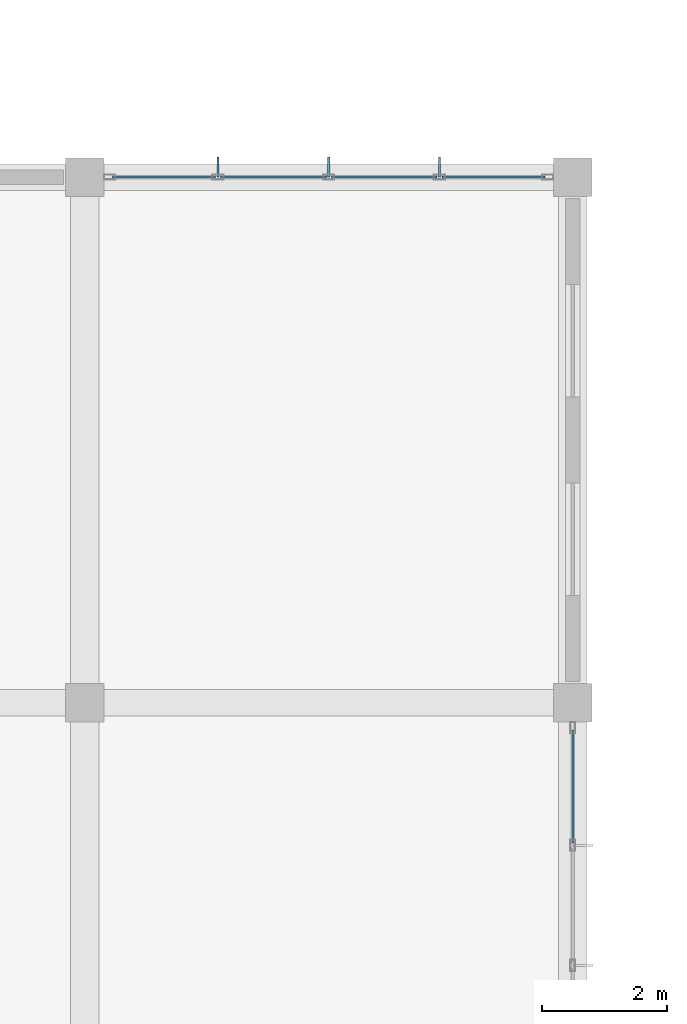
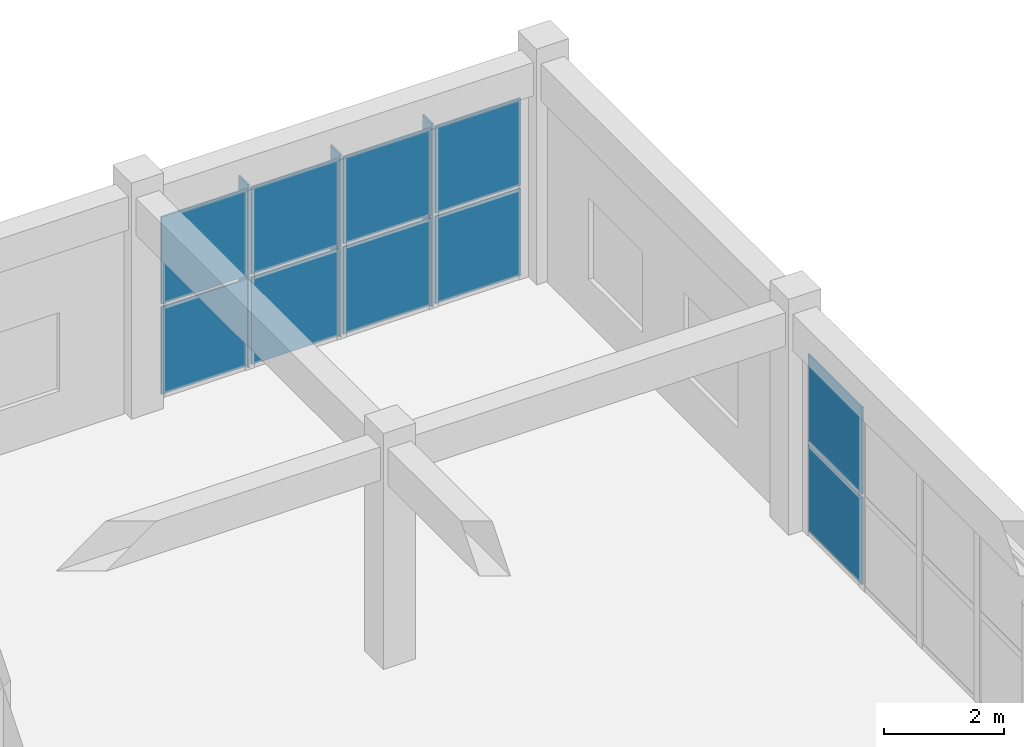
# One storey, part 146 of 167: 13 plates, 2 elements without a shape of their own.
"""IFC4 building model written with IfcOpenShell, lengths in metres."""

from ifc_helpers import new_model, si_unit, direction, frame, origin, origin_2d, place, context, subcontext, project, spatial, polyline, rectangle, outline, extrude, material, layer, layer_set, type_object, element, aggregate, save


model = new_model("IFC4")

# Units and contexts
model_context = context("Model", 3, precision=1e-05, world=origin(), true_north=direction((0.0, 1.0)))
body_context = subcontext(model_context, "Body", "Model", "MODEL_VIEW")
ifc_project = project(units=[si_unit("LENGTHUNIT", "METRE"), si_unit("AREAUNIT", "SQUARE_METRE"), si_unit("VOLUMEUNIT", "CUBIC_METRE"), si_unit("PLANEANGLEUNIT", "RADIAN"), si_unit("MASSUNIT", "GRAM", prefix="KILO")], contexts=[model_context])

# Site, building, storey
site_placement = place(None, origin())
site = spatial("IfcSite", under=ifc_project, at=site_placement, CompositionType="ELEMENT")
building_placement = place(site_placement, origin())
building = spatial("IfcBuilding", under=site, at=building_placement, Name="Zizhar Promenade General Hospital", CompositionType="ELEMENT")
storey_placement = place(building_placement, frame((0.0, 0.0, 9.60009765625)))
storey = spatial("IfcBuildingStorey", under=building, at=storey_placement, Name="L02", CompositionType="ELEMENT", Elevation=9.60009765625)

# Curtain wall, plates
ifc_material_1 = material(Name="Anodised aluminium 6063-T6 and low-E glass", Category="aluminium")
ifc_layer_1 = layer(ifc_material_1, 0.159912109375)
ifc_layer_set_1 = layer_set([ifc_layer_1], Name="Anodised aluminium 6063-T6 and low-E glass")
curtain_wall_type = type_object("IfcCurtainWallType", Name="CW-CLN-EXT", PredefinedType="NOTDEFINED", material=ifc_layer_set_1)
curtain_wall_1_placement = place(storey_placement, origin())
curtain_wall_1 = element("IfcCurtainWall", 1, at=curtain_wall_1_placement, inside=storey, type_object=curtain_wall_type, Name="Outpatient North Curtain Wall L02-24", PredefinedType="NOTDEFINED")
ifc_material_2 = material(Name="Low-E solar-control glass", Category="glass")
ifc_layer_2 = layer(ifc_material_2, 0.031982421875)
ifc_layer_set_2 = layer_set([ifc_layer_2], Name="Low-E solar-control glass")
plate_type_1 = type_object("IfcPlateType", Name="CWP-GLZ-32", PredefinedType="CURTAIN_PANEL", material=ifc_layer_set_2)
plate_1_placement = place(storey_placement, frame((188.465087890625, 109.199951171875, 0.06005859375), z_axis=(0.0, 0.0, 1.0), x_axis=(1.0, 0.0, 0.0)))
plate_1 = element("IfcPlate", 2, at=plate_1_placement, type_object=plate_type_1, Name="CW-09 panel 1.1", PredefinedType="CURTAIN_PANEL", context=body_context, shape_type="SweptSolid", body=[
    extrude(rectangle(XDim=1.64990234375, YDim=0.031982421875, at=origin_2d()), origin(), (0.0, 0.0, 1.0), 1.77490234375),
])
plate_2_placement = place(storey_placement, frame((188.465087890625, 109.199951171875, 1.89501953125), z_axis=(0.0, 0.0, 1.0), x_axis=(1.0, 0.0, 0.0)))
plate_2 = element("IfcPlate", 3, at=plate_2_placement, type_object=plate_type_1, Name="CW-09 panel 1.2", PredefinedType="CURTAIN_PANEL", context=body_context, shape_type="SweptSolid", body=[
    extrude(rectangle(XDim=1.64990234375, YDim=0.031982421875, at=origin_2d()), origin(), (0.0, 0.0, 1.0), 1.77490234375),
])
plate_3_placement = place(storey_placement, frame((190.215087890625, 109.199951171875, 0.06005859375), z_axis=(0.0, 0.0, 1.0), x_axis=(1.0, 0.0, 0.0)))
plate_3 = element("IfcPlate", 4, at=plate_3_placement, type_object=plate_type_1, Name="CW-09 panel 2.1", PredefinedType="CURTAIN_PANEL", context=body_context, shape_type="SweptSolid", body=[
    extrude(rectangle(XDim=1.68994140625, YDim=0.031982421875, at=origin_2d()), origin(), (0.0, 0.0, 1.0), 1.77490234375),
])
plate_4_placement = place(storey_placement, frame((190.215087890625, 109.199951171875, 1.89501953125), z_axis=(0.0, 0.0, 1.0), x_axis=(1.0, 0.0, 0.0)))
plate_4 = element("IfcPlate", 5, at=plate_4_placement, type_object=plate_type_1, Name="CW-09 panel 2.2", PredefinedType="CURTAIN_PANEL", context=body_context, shape_type="SweptSolid", body=[
    extrude(rectangle(XDim=1.68994140625, YDim=0.031982421875, at=origin_2d()), origin(), (0.0, 0.0, 1.0), 1.77490234375),
])
plate_5_placement = place(storey_placement, frame((191.985107421875, 109.199951171875, 0.06005859375), z_axis=(0.0, 0.0, 1.0), x_axis=(1.0, 0.0, 0.0)))
plate_5 = element("IfcPlate", 6, at=plate_5_placement, type_object=plate_type_1, Name="CW-09 panel 3.1", PredefinedType="CURTAIN_PANEL", context=body_context, shape_type="SweptSolid", body=[
    extrude(rectangle(XDim=1.68994140625, YDim=0.031982421875, at=origin_2d()), origin(), (0.0, 0.0, 1.0), 1.77490234375),
])
plate_6_placement = place(storey_placement, frame((191.985107421875, 109.199951171875, 1.89501953125), z_axis=(0.0, 0.0, 1.0), x_axis=(1.0, 0.0, 0.0)))
plate_6 = element("IfcPlate", 7, at=plate_6_placement, type_object=plate_type_1, Name="CW-09 panel 3.2", PredefinedType="CURTAIN_PANEL", context=body_context, shape_type="SweptSolid", body=[
    extrude(rectangle(XDim=1.68994140625, YDim=0.031982421875, at=origin_2d()), origin(), (0.0, 0.0, 1.0), 1.77490234375),
])
plate_7_placement = place(storey_placement, frame((193.735107421875, 109.199951171875, 0.06005859375), z_axis=(0.0, 0.0, 1.0), x_axis=(1.0, 0.0, 0.0)))
plate_7 = element("IfcPlate", 8, at=plate_7_placement, type_object=plate_type_1, Name="CW-09 panel 4.1", PredefinedType="CURTAIN_PANEL", context=body_context, shape_type="SweptSolid", body=[
    extrude(rectangle(XDim=1.64990234375, YDim=0.031982421875, at=origin_2d()), origin(), (0.0, 0.0, 1.0), 1.77490234375),
])
plate_8_placement = place(storey_placement, frame((193.735107421875, 109.199951171875, 1.89501953125), z_axis=(0.0, 0.0, 1.0), x_axis=(1.0, 0.0, 0.0)))
plate_8 = element("IfcPlate", 9, at=plate_8_placement, type_object=plate_type_1, Name="CW-09 panel 4.2", PredefinedType="CURTAIN_PANEL", context=body_context, shape_type="SweptSolid", body=[
    extrude(rectangle(XDim=1.64990234375, YDim=0.031982421875, at=origin_2d()), origin(), (0.0, 0.0, 1.0), 1.77490234375),
])
aggregate(curtain_wall_1, [plate_1, plate_2, plate_3, plate_4, plate_5, plate_6, plate_7, plate_8])

curtain_wall_2_placement = place(storey_placement, origin())
curtain_wall_2 = element("IfcCurtainWall", 10, at=curtain_wall_2_placement, inside=storey, type_object=curtain_wall_type, Name="Outpatient East Curtain Wall L02-11", PredefinedType="NOTDEFINED")
plate_9_placement = place(storey_placement, frame((195.0, 99.4599609375, 0.06005859375), z_axis=(0.0, 0.0, 1.0), x_axis=(0.0, -1.0, 0.0)))
plate_9 = element("IfcPlate", 11, at=plate_9_placement, type_object=plate_type_1, Name="CW-09 panel 1.1", PredefinedType="CURTAIN_PANEL", context=body_context, shape_type="SweptSolid", body=[
    extrude(rectangle(XDim=1.800048828125, YDim=0.031982421875, at=origin_2d()), origin(), (0.0, 0.0, 1.0), 1.77490234375),
])
plate_10_placement = place(storey_placement, frame((195.0, 99.4599609375, 1.89501953125), z_axis=(0.0, 0.0, 1.0), x_axis=(0.0, -1.0, 0.0)))
plate_10 = element("IfcPlate", 12, at=plate_10_placement, type_object=plate_type_1, Name="CW-09 panel 1.2", PredefinedType="CURTAIN_PANEL", context=body_context, shape_type="SweptSolid", body=[
    extrude(rectangle(XDim=1.800048828125, YDim=0.031982421875, at=origin_2d()), origin(), (0.0, 0.0, 1.0), 1.77490234375),
])
aggregate(curtain_wall_2, [plate_9, plate_10])

# Plates
ifc_material_3 = material(Name="Anodised aluminium 6063-T6", Category="aluminium")
ifc_layer_3 = layer(ifc_material_3, 0.033935546875)
ifc_layer_set_3 = layer_set([ifc_layer_3], Name="Anodised aluminium 6063-T6")
plate_type_2 = type_object("IfcPlateType", Name="FIN-ALU-320", PredefinedType="USERDEFINED", material=ifc_layer_set_3)
plate_11_placement = place(storey_placement, origin())
element("IfcPlate", 13, at=plate_11_placement, inside=storey, type_object=plate_type_2, Name="Outpatient North Curtain Wall L02-24 Solar Fin 1", ObjectType="SOLAR_SHADE", PredefinedType="USERDEFINED", context=body_context, shape_type="SweptSolid", body=[
    extrude(outline(polyline([(189.31298828125, 109.199951171875), (189.346923828125, 109.199951171875), (189.346923828125, 109.52001953125), (189.31298828125, 109.52001953125), (189.31298828125, 109.199951171875)])), origin(), (0.0, 0.0, 1.0), 3.72998046875),
])
plate_12_placement = place(storey_placement, origin())
element("IfcPlate", 14, at=plate_12_placement, inside=storey, type_object=plate_type_2, Name="Outpatient North Curtain Wall L02-24 Solar Fin 2", ObjectType="SOLAR_SHADE", PredefinedType="USERDEFINED", context=body_context, shape_type="SweptSolid", body=[
    extrude(outline(polyline([(191.0830078125, 109.199951171875), (191.116943359375, 109.199951171875), (191.116943359375, 109.52001953125), (191.0830078125, 109.52001953125), (191.0830078125, 109.199951171875)])), origin(), (0.0, 0.0, 1.0), 3.72998046875),
])
plate_13_placement = place(storey_placement, origin())
element("IfcPlate", 15, at=plate_13_placement, inside=storey, type_object=plate_type_2, Name="Outpatient North Curtain Wall L02-24 Solar Fin 3", ObjectType="SOLAR_SHADE", PredefinedType="USERDEFINED", context=body_context, shape_type="SweptSolid", body=[
    extrude(outline(polyline([(192.85302734375, 109.199951171875), (192.886962890625, 109.199951171875), (192.886962890625, 109.52001953125), (192.85302734375, 109.52001953125), (192.85302734375, 109.199951171875)])), origin(), (0.0, 0.0, 1.0), 3.72998046875),
])

save(model, "model.ifc")
